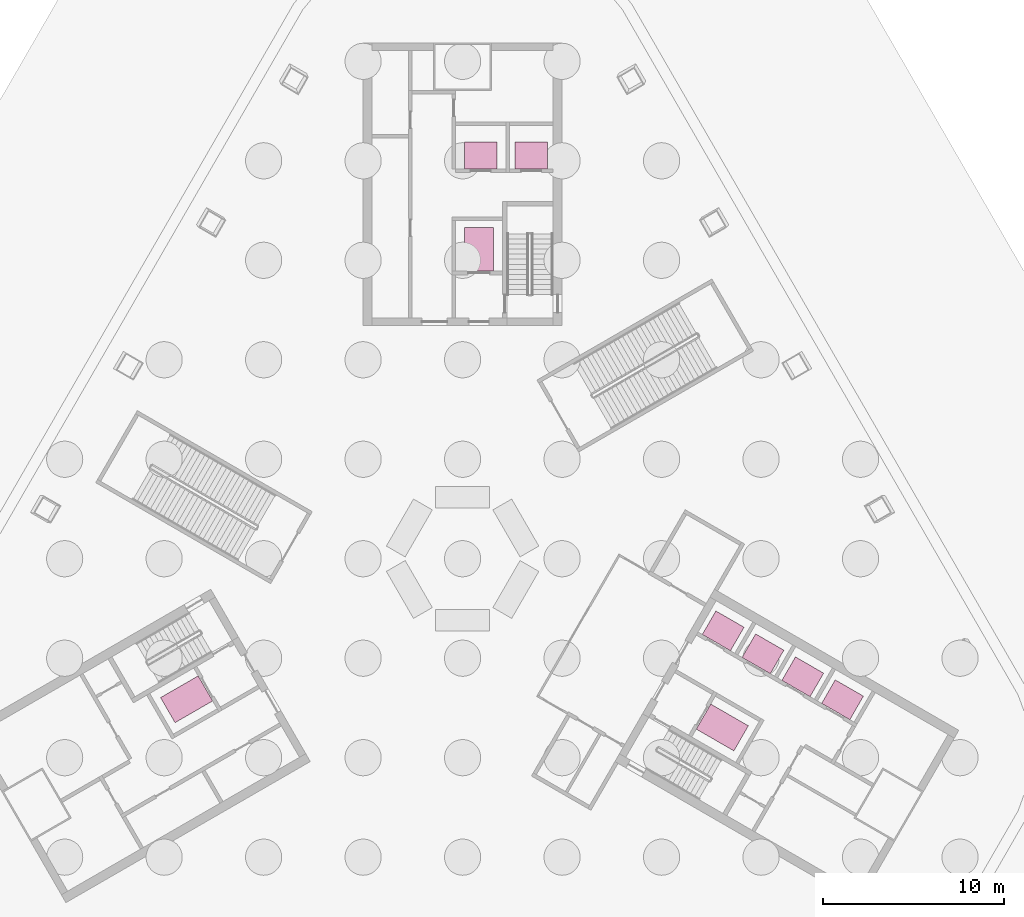
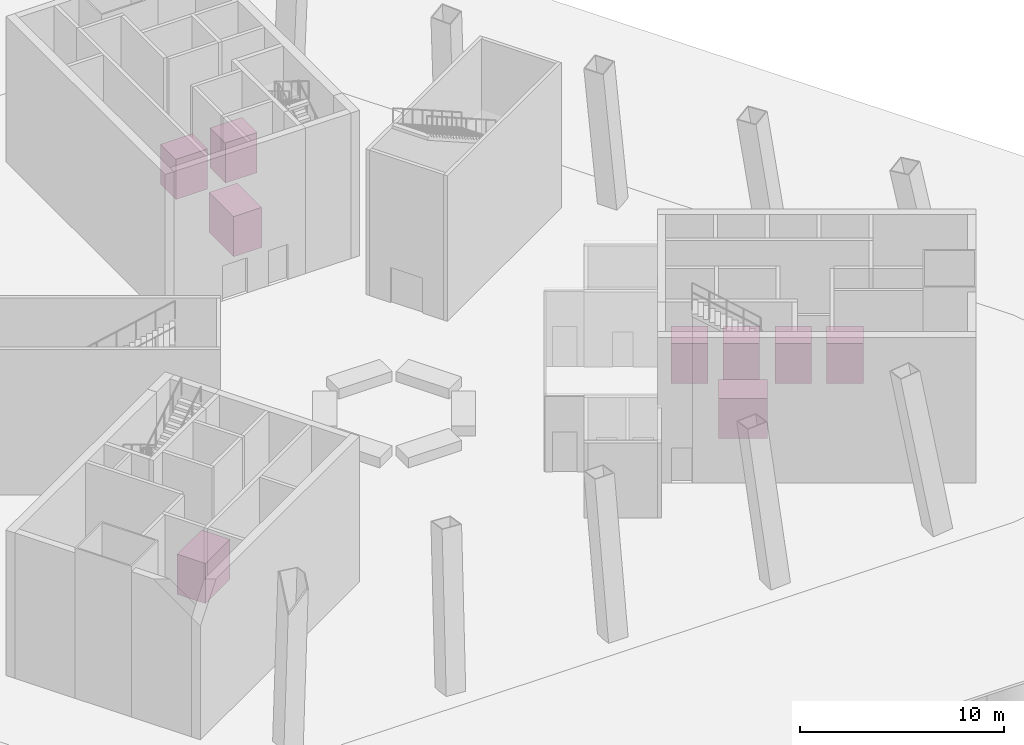
# One storey, part 10 of 10: 9 transport elements.
"""IFC4 building model written with IfcOpenShell, lengths in metres."""

import ifcopenshell
import ifcopenshell.guid

model = None  # the IFC model being written
_history = None  # IfcOwnerHistory: only IFC2X3 demands one
_inside = {}  # id of a spatial element -> (the spatial element, [elements in it])
_under = {}  # id of a project, library or spatial element -> (it, [spatial elements below it])
_declared = {}  # id of a project -> (the project, [libraries it declares])
_typed = {}  # id of a type object -> (the type object, [elements of that type])
_made_of = {}  # id of a material, layer set ... -> (it, [elements and type objects made of it])


def new_model(schema):
    """Start an empty IFC model of exactly this schema.

    Asked for "IFC4X3", IfcOpenShell would pick the latest addendum, in which some entities
    have other attributes; the version numbers below select the first issue.
    IFC2X3 requires an IfcOwnerHistory on every rooted entity: one is made here for all.
    """
    global model, _history
    if schema == "IFC4X3":
        model = ifcopenshell.file(schema_version=(4, 3, 0, 0))
    else:
        model = ifcopenshell.file(schema=schema)
    _inside.clear()
    _under.clear()
    _declared.clear()
    _typed.clear()
    _made_of.clear()
    _history = None
    if model.schema == "IFC2X3":
        org = make("IfcOrganization", Name="unknown")
        user = make(
            "IfcPersonAndOrganization",
            ThePerson=make("IfcPerson", FamilyName="unknown"),
            TheOrganization=org,
        )
        app = make(
            "IfcApplication",
            ApplicationDeveloper=org,
            Version="unknown",
            ApplicationFullName="unknown",
            ApplicationIdentifier="unknown",
        )
        _history = make(
            "IfcOwnerHistory",
            OwningUser=user,
            OwningApplication=app,
            ChangeAction="ADDED",
            CreationDate=0,
        )
    return model


def make(cls, **values):
    """One entity of the class cls with the attributes given. An attribute that is None is left unset."""
    return model.create_entity(
        cls, **{name: value for name, value in values.items() if value is not None}
    )


def rooted(cls, **values):
    """An entity with a GlobalId (a new one), such as an element, a storey or a relation."""
    return make(cls, GlobalId=ifcopenshell.guid.new(), OwnerHistory=_history, **values)


def si_unit(unit_type, name, prefix=None):
    """IfcSIUnit, for example si_unit("LENGTHUNIT", "METRE", prefix="MILLI")."""
    return make("IfcSIUnit", UnitType=unit_type, Prefix=prefix, Name=name)


def assignment(units):
    """IfcUnitAssignment: the units of a project."""
    return None if units is None else make("IfcUnitAssignment", Units=units)


def point(xyz):
    """IfcCartesianPoint."""
    return None if xyz is None else make("IfcCartesianPoint", Coordinates=xyz)


def direction(xyz):
    """IfcDirection."""
    return None if xyz is None else make("IfcDirection", DirectionRatios=xyz)


def frame(location, z_axis=None, x_axis=None):
    """IfcAxis2Placement3D, a coordinate frame: its origin and axes. An axis left out is left unset."""
    return make(
        "IfcAxis2Placement3D",
        Location=point(location),
        Axis=direction(z_axis),
        RefDirection=direction(x_axis),
    )


def frame_2d(location, x_axis=None):
    """IfcAxis2Placement2D, a coordinate frame in the plane: its origin and x axis."""
    return make(
        "IfcAxis2Placement2D", Location=point(location), RefDirection=direction(x_axis)
    )


def origin():
    """The frame at (0, 0, 0) with its axes left unset."""
    return frame((0.0, 0.0, 0.0))


def origin_2d():
    """The frame at (0, 0) in the plane with its x axis left unset."""
    return frame_2d((0.0, 0.0))


def place(relative_to, where):
    """IfcLocalPlacement: puts the frame where relative to a parent placement (None: the world)."""
    return make(
        "IfcLocalPlacement", PlacementRelTo=relative_to, RelativePlacement=where
    )


def context(
    kind, dimensions, precision=None, world=None, true_north=None, identifier=None
):
    """IfcGeometricRepresentationContext, for example the 3D "Model" context."""
    return make(
        "IfcGeometricRepresentationContext",
        ContextIdentifier=identifier,
        ContextType=kind,
        CoordinateSpaceDimension=dimensions,
        Precision=precision,
        WorldCoordinateSystem=world,
        TrueNorth=true_north,
    )


def subcontext(parent, identifier, kind, view, scale=None):
    """IfcGeometricRepresentationSubContext, for example "Body" below "Model"."""
    return make(
        "IfcGeometricRepresentationSubContext",
        ContextIdentifier=identifier,
        ContextType=kind,
        ParentContext=parent,
        TargetScale=scale,
        TargetView=view,
    )


def project(units=None, contexts=None):
    """IfcProject with its units and contexts."""
    return rooted(
        "IfcProject",
        Name="project",
        RepresentationContexts=contexts,
        UnitsInContext=assignment(units),
    )


def spatial(cls, under=None, at=None, **own):
    """A site, building, storey or space (cls), placed at a placement, below another one or the project."""
    s = rooted(cls, ObjectPlacement=at, **own)
    if under is not None:
        _under.setdefault(under.id(), (under, []))[1].append(s)
    return s


def profile(cls, at=None, kind="AREA", **sizes):
    """A parametric profile (cls). Its sizes go by their IFC names, for example OverallWidth=200.0."""
    return make(cls, ProfileType=kind, Position=at, **sizes)


def rectangle(**sizes):
    """IfcRectangleProfileDef."""
    return profile("IfcRectangleProfileDef", **sizes)


def extrude(swept, where, along, depth):
    """IfcExtrudedAreaSolid: the profile swept, set in the frame where, extruded along a direction by depth."""
    return make(
        "IfcExtrudedAreaSolid",
        SweptArea=swept,
        Position=where,
        ExtrudedDirection=direction(along),
        Depth=depth,
    )


def shape(context_of_items, identifier, shape_type, items):
    """IfcShapeRepresentation: the items that make up one representation, for example the "Body"."""
    return make(
        "IfcShapeRepresentation",
        ContextOfItems=context_of_items,
        RepresentationIdentifier=identifier,
        RepresentationType=shape_type,
        Items=items,
    )


def material(Name=None, Category=None):
    """IfcMaterial."""
    return make("IfcMaterial", Name=Name, Category=Category)


def made_of(thing, what):
    """Note that an element or type object is made of a material, layer set ...; save() writes the relation."""
    if what is not None:
        _made_of.setdefault(what.id(), (what, []))[1].append(thing)
    return thing


def type_object(cls, material=None, **own):
    """A type object (cls), such as IfcWallType, which elements share."""
    return made_of(rooted(cls, **own), material)


def element(
    cls,
    number,
    at=None,
    inside=None,
    cuts=None,
    type_object=None,
    material=None,
    context=None,
    identifier="Body",
    shape_type=None,
    held_by="IfcProductDefinitionShape",
    body=None,
    shapes=None,
    **own,
):
    """One element of the class cls, such as IfcWall. Its Tag is "e" and its number.

    at: its placement. inside: the storey or other place that contains it. cuts: it is an
    opening in that element (IfcRelVoidsElement). A single representation is given by context,
    identifier, shape_type and body (its items); several are given by shapes. held_by: the class
    of the entity that holds the representations. save() writes the other relations.
    """
    e = rooted(cls, Tag="e%d" % number, ObjectPlacement=at, **own)
    if body is not None:
        shapes = [shape(context, identifier, shape_type, body)]
    if shapes is not None:
        e.Representation = make(held_by, Representations=shapes)
    if inside is not None:
        _inside.setdefault(inside.id(), (inside, []))[1].append(e)
    if cuts is not None:
        rooted(
            "IfcRelVoidsElement", RelatingBuildingElement=cuts, RelatedOpeningElement=e
        )
    if type_object is not None:
        _typed.setdefault(type_object.id(), (type_object, []))[1].append(e)
    return made_of(e, material)


def aggregate(whole, parts):
    """IfcRelAggregates: a whole, such as a stair, and the parts it consists of."""
    return rooted("IfcRelAggregates", RelatingObject=whole, RelatedObjects=parts)


def save(model, path):
    """Write the relations noted so far, then the file.

    IfcRelAggregates (storeys below a building ...), IfcRelContainedInSpatialStructure (elements
    in a storey), IfcRelDefinesByType, IfcRelAssociatesMaterial and IfcRelDeclares: one each for
    every whole, place, type object, material and project.
    """
    for whole, parts in _under.values():
        aggregate(whole, parts)
    for where, things in _inside.values():
        rooted(
            "IfcRelContainedInSpatialStructure",
            RelatedElements=things,
            RelatingStructure=where,
        )
    for kind, things in _typed.values():
        rooted("IfcRelDefinesByType", RelatedObjects=things, RelatingType=kind)
    for what, things in _made_of.values():
        rooted("IfcRelAssociatesMaterial", RelatedObjects=things, RelatingMaterial=what)
    for by, libraries in _declared.values():
        rooted("IfcRelDeclares", RelatingContext=by, RelatedDefinitions=libraries)
    model.write(path)


model = new_model("IFC4")

# Units and contexts
model_context = context("Model", 3, precision=1e-05, world=origin(), true_north=direction((0.0, 1.0)))
body_context = subcontext(model_context, "Body", "Model", "MODEL_VIEW")
ifc_project = project(units=[si_unit("LENGTHUNIT", "METRE"), si_unit("AREAUNIT", "SQUARE_METRE"), si_unit("VOLUMEUNIT", "CUBIC_METRE"), si_unit("PLANEANGLEUNIT", "RADIAN"), si_unit("MASSUNIT", "GRAM", prefix="KILO")], contexts=[model_context])

# Site, building, storey
site_placement = place(None, origin())
site = spatial("IfcSite", under=ifc_project, at=site_placement, CompositionType="ELEMENT")
building_placement = place(site_placement, origin())
building = spatial("IfcBuilding", under=site, at=building_placement, Name="Apuvela Tower Hotel", CompositionType="ELEMENT")
storey_placement = place(building_placement, origin())
storey = spatial("IfcBuildingStorey", under=building, at=storey_placement, Name="L00", CompositionType="ELEMENT", Elevation=0.0)

# Transport elements
ifc_material = material(Name="Stainless steel car lining", Category="steel")
transport_element_type_1 = type_object("IfcTransportElementType", Name="COR-LIFT-1350", PredefinedType="ELEVATOR", material=ifc_material)
for number, where, z_axis, x_axis, name in (
    (1, (3.800048828125, 22.300048828125, 0.0), (0.0, 0.0, 1.0), (0.0, 1.0, 0.0), "Shuttle lift SH1"),
    (2, (1.0, 22.300048828125, 0.0), (0.0, 0.0, 1.0), (0.0, 1.0, 0.0), "Shuttle lift SH2"),
):
    element("IfcTransportElement", number, at=place(storey_placement, frame(where, z_axis=z_axis, x_axis=x_axis)), inside=storey, type_object=transport_element_type_1, Name=name, PredefinedType="ELEVATOR", context=body_context, shape_type="SweptSolid", body=[
        extrude(rectangle(XDim=1.5, YDim=1.800048828125, at=origin_2d()), origin(), (0.0, 0.0, 1.0), 2.39990234375),
    ])
for number, where, z_axis, x_axis, name in (
    (3, (14.406494140625, -3.9873046875, 0.0), (0.0, 0.0, 1.0), (0.866025403784, -0.5, 0.0), "Low-rise passenger lift LR1"),
    (4, (16.606201171875, -5.25732421875, 0.0), (0.0, 0.0, 1.0), (0.866025403784, -0.5, 0.0), "Low-rise passenger lift LR2"),
    (5, (18.805908203125, -6.52734375, 0.0), (0.0, 0.0, 1.0), (0.866025403784, -0.5, 0.0), "Low-rise passenger lift LR3"),
    (6, (21.005615234375, -7.79736328125, 0.0), (0.0, 0.0, 1.0), (0.866025403784, -0.5, 0.0), "Low-rise passenger lift LR4"),
):
    element("IfcTransportElement", number, at=place(storey_placement, frame(where, z_axis=z_axis, x_axis=x_axis)), inside=storey, type_object=transport_element_type_1, Name=name, PredefinedType="ELEVATOR", context=body_context, shape_type="SweptSolid", body=[
        extrude(rectangle(XDim=1.800048828125, YDim=1.5, at=origin_2d()), origin(), (0.0, 0.0, 1.0), 2.39990234375),
    ])
transport_element_type_2 = type_object("IfcTransportElementType", Name="COR-LIFT-1800", PredefinedType="ELEVATOR", material=ifc_material)
for number, where, z_axis, x_axis, name in (
    (7, (0.89990234375, 17.10009765625, 0.0), (0.0, 0.0, 1.0), (0.0, 1.0, 0.0), "Firefighting and service lift FS1"),
    (8, (-15.259033203125, -7.7705078125, 0.0), (0.0, 0.0, 1.0), (-0.866025403784, -0.5, 0.0), "Firefighting and service lift FS2"),
    (9, (14.35888671875, -9.329345703125, 0.0), (0.0, 0.0, 1.0), (0.866025403784, -0.5, 0.0), "Firefighting and service lift FS3"),
):
    element("IfcTransportElement", number, at=place(storey_placement, frame(where, z_axis=z_axis, x_axis=x_axis)), inside=storey, type_object=transport_element_type_2, Name=name, PredefinedType="ELEVATOR", context=body_context, shape_type="SweptSolid", body=[
        extrude(rectangle(XDim=2.39990234375, YDim=1.60009765625, at=origin_2d()), origin(), (0.0, 0.0, 1.0), 2.39990234375),
    ])

save(model, "model.ifc")
